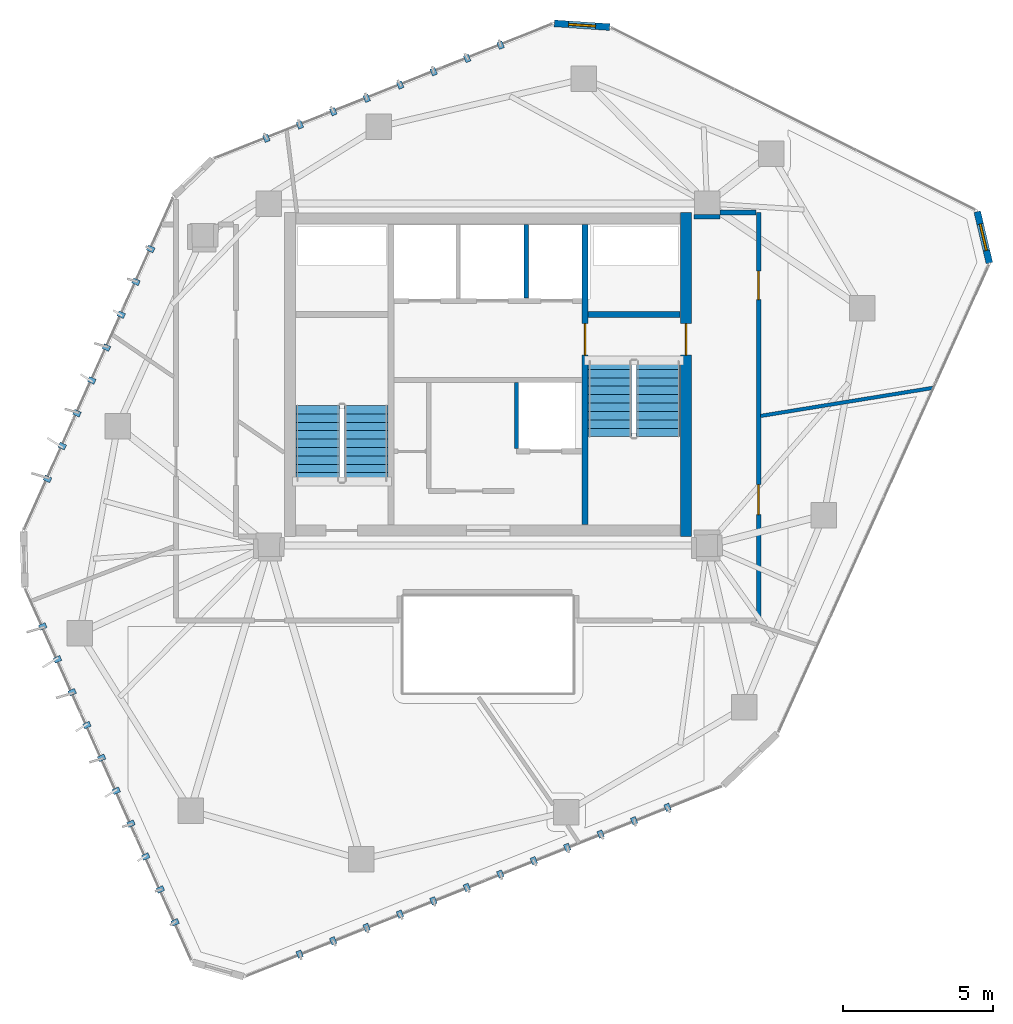
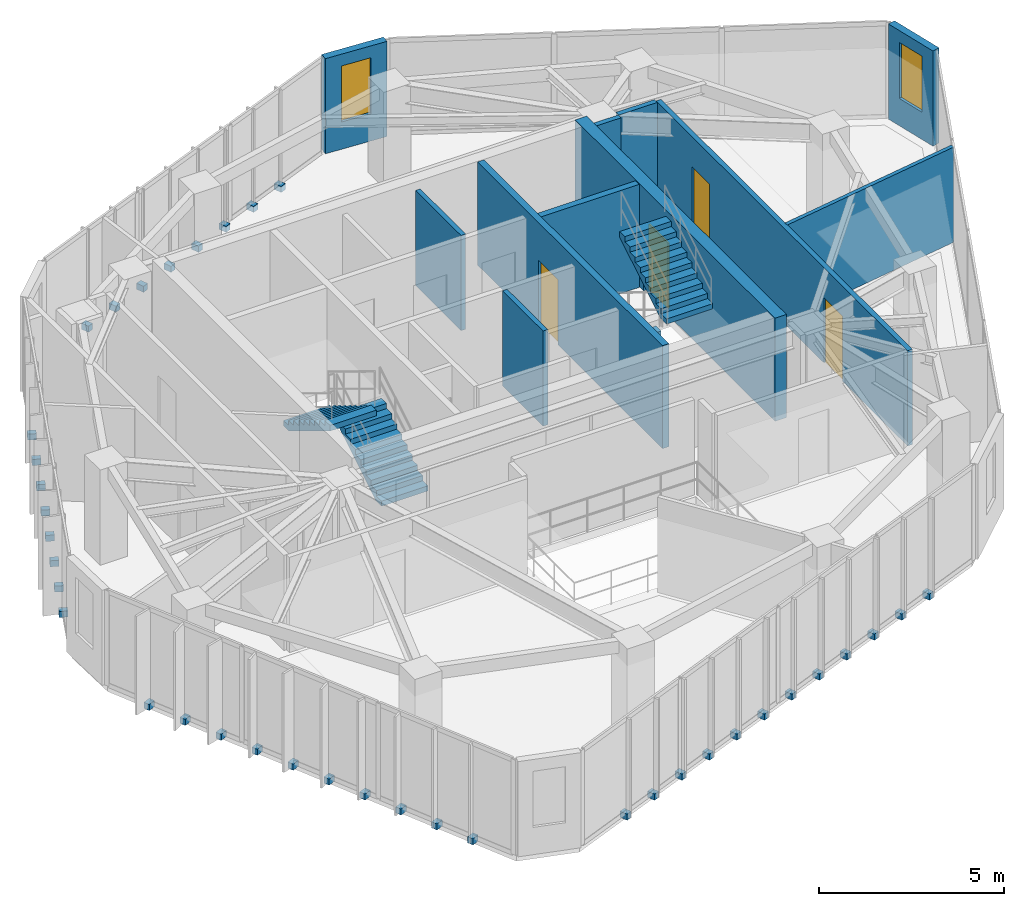
# One storey, part 18 of 20: 38 discrete accessories, 11 walls, 4 doors, 4 stair flights, 2 windows, 6 openings, 2 elements without a shape of their own.
"""IFC4 building model written with IfcOpenShell, lengths in metres."""

from ifc_helpers import new_model, si_unit, direction, frame, frame_2d, origin, origin_2d, place, context, subcontext, project, spatial, polyline, rectangle, outline, extrude, source, transform, mapped, material, layer, layer_set, type_object, type_shapes, element, fill, aggregate, save


model = new_model("IFC4")

# Units and contexts
model_context = context("Model", 3, precision=1e-05, world=origin(), true_north=direction((0.0, 1.0)))
body_context = subcontext(model_context, "Body", "Model", "MODEL_VIEW")
ifc_project = project(units=[si_unit("LENGTHUNIT", "METRE"), si_unit("AREAUNIT", "SQUARE_METRE"), si_unit("VOLUMEUNIT", "CUBIC_METRE"), si_unit("PLANEANGLEUNIT", "RADIAN"), si_unit("MASSUNIT", "GRAM", prefix="KILO")], contexts=[model_context])

# Site, building, storey
site_placement = place(None, origin())
site = spatial("IfcSite", under=ifc_project, at=site_placement, CompositionType="ELEMENT")
building_placement = place(site_placement, origin())
building = spatial("IfcBuilding", under=site, at=building_placement, Name="Talar Marvaseh", CompositionType="ELEMENT")
storey_placement = place(building_placement, frame((0.0, 0.0, 278.199951171875)))
storey = spatial("IfcBuildingStorey", under=building, at=storey_placement, Name="L74", CompositionType="ELEMENT", Elevation=278.199951171875)

# Wall, opening, window
ifc_material_1 = material(Name="Precast concrete C45/55", Category="concrete")
ifc_layer_1 = layer(ifc_material_1, 0.22509765625)
ifc_layer_set_1 = layer_set([ifc_layer_1], Name="Precast concrete C45/55")
wall_type_1 = type_object("IfcWallType", Name="Chamfered Hexagonal Corner Pier Wall Z4 225", PredefinedType="SOLIDWALL", material=ifc_layer_set_1)
wall_1_placement = place(storey_placement, frame((28.206787109375, 42.904296875, 0.0), z_axis=(0.0, 0.0, 1.0), x_axis=(0.99771301012, -0.067592525004, 0.0)))
wall_1 = element("IfcWall", 1, at=wall_1_placement, inside=storey, type_object=wall_type_1, Name="L74 Chamfered Corner Limestone Pier 4", PredefinedType="SOLIDWALL", context=body_context, shape_type="SweptSolid", body=[
    extrude(rectangle(XDim=1.8564453125, YDim=0.22509765625, at=frame_2d((0.92822265625, 0.0))), origin(), (0.0, 0.0, 1.0), 3.14013671875),
])
opening_1_placement = place(wall_1_placement, frame((0.47802734375, 0.0, 0.89990234375)))
opening_1 = element("IfcOpeningElement", 2, at=opening_1_placement, cuts=wall_1, Name="Opening WN-CHM09", PredefinedType="OPENING", context=body_context, shape_type="SweptSolid", body=[
    extrude(rectangle(XDim=0.89990234375, YDim=1.85009765625, at=frame_2d((0.449951171875, 0.925048828125))), frame((0.0, 0.12255859375, 0.0), z_axis=(0.0, -1.0, 0.0), x_axis=(1.0, 0.0, 0.0)), (0.0, 0.0, 1.0), 0.2451171875),
])
ifc_material_2 = material(Name="Laminated Low-E Solar Glass", Category="glass")
window_type = type_object("IfcWindowType", Name="Zone 4 Chamfered Corner Slot Window 900x1850", PartitioningType="SINGLE_PANEL", PredefinedType="WINDOW", material=ifc_material_2)
shared_shape_1 = source(origin(), body_context, "Body", "SweptSolid", [
    extrude(rectangle(XDim=0.89990234375, YDim=1.85009765625, at=frame_2d((0.449951171875, 0.925048828125))), frame((0.0, 0.030029296875, 0.0), z_axis=(0.0, -1.0, 0.0), x_axis=(1.0, 0.0, 0.0)), (0.0, 0.0, 1.0), 0.06005859375),
])
type_shapes(window_type, [shared_shape_1])
window_1_placement = place(opening_1_placement, origin())
window_1 = element("IfcWindow", 3, at=window_1_placement, inside=storey, type_object=window_type, Name="L74 Chamfered Corner Slot Window", OverallHeight=1.85009765625, OverallWidth=0.89990234375, PartitioningType="SINGLE_PANEL", PredefinedType="WINDOW", context=body_context, shape_type="MappedRepresentation", body=[
    mapped(shared_shape_1, transform((0.0, 0.0, 0.0), x_axis=(1.0, 0.0, 0.0), y_axis=(0.0, 1.0, 0.0), z_axis=(0.0, 0.0, 1.0), scale=1.0)),
])
fill(opening_1, window_1)

wall_2_placement = place(storey_placement, frame((42.305419921875, 36.62841796875, 0.0), z_axis=(0.0, 0.0, 1.0), x_axis=(0.230393712881, -0.973097496176, 0.0)))
wall_2 = element("IfcWall", 4, at=wall_2_placement, inside=storey, type_object=wall_type_1, Name="L74 Chamfered Corner Limestone Pier 5", PredefinedType="SOLIDWALL", context=body_context, shape_type="SweptSolid", body=[
    extrude(rectangle(XDim=1.758056640625, YDim=0.22509765625, at=frame_2d((0.87890625, 0.0))), origin(), (0.0, 0.0, 1.0), 3.14013671875),
])
opening_2_placement = place(wall_2_placement, frame((0.428955078125, 0.0, 0.89990234375)))
opening_2 = element("IfcOpeningElement", 5, at=opening_2_placement, cuts=wall_2, Name="Opening WN-CHM09", PredefinedType="OPENING", context=body_context, shape_type="SweptSolid", body=[
    extrude(rectangle(XDim=0.89990234375, YDim=1.85009765625, at=frame_2d((0.449951171875, 0.925048828125))), frame((0.0, 0.12255859375, 0.0), z_axis=(0.0, -1.0, 0.0), x_axis=(1.0, 0.0, 0.0)), (0.0, 0.0, 1.0), 0.2451171875),
])
window_2_placement = place(opening_2_placement, origin())
window_2 = element("IfcWindow", 6, at=window_2_placement, inside=storey, type_object=window_type, Name="L74 Chamfered Corner Slot Window", OverallHeight=1.85009765625, OverallWidth=0.89990234375, PartitioningType="SINGLE_PANEL", PredefinedType="WINDOW", context=body_context, shape_type="MappedRepresentation", body=[
    mapped(shared_shape_1, transform((0.0, 0.0, 0.0), x_axis=(1.0, 0.0, 0.0), y_axis=(0.0, 1.0, 0.0), z_axis=(0.0, 0.0, 1.0), scale=1.0)),
])
fill(opening_2, window_2)

# Wall, openings, doors
ifc_material_3 = material(Name="Gypsum Board Partition Assembly")
ifc_layer_2 = layer(ifc_material_3, 0.155029296875)
ifc_layer_set_2 = layer_set([ifc_layer_2], Name="Gypsum Board Partition Assembly")
wall_type_2 = type_object("IfcWallType", Name="Corridor Fire-Rated Acoustic Partition 155", PredefinedType="PARTITIONING", material=ifc_layer_set_2)
wall_3_placement = place(storey_placement, frame((35.02001953125, 36.60009765625, 0.0), z_axis=(0.0, 0.0, 1.0), x_axis=(0.0, -1.0, 0.0)))
wall_3 = element("IfcWall", 7, at=wall_3_placement, inside=storey, type_object=wall_type_2, Name="L74 Interior Partition Wall", PredefinedType="PARTITIONING", context=body_context, shape_type="SweptSolid", body=[
    extrude(rectangle(XDim=13.60009765625, YDim=0.155029296875, at=frame_2d((6.800048828125, 0.0))), origin(), (0.0, 0.0, 1.0), 3.14013671875),
])
opening_3_placement = place(wall_3_placement, frame((9.0673828125, 0.0, 0.0)))
opening_3 = element("IfcOpeningElement", 8, at=opening_3_placement, cuts=wall_3, Name="Opening DR-RM100", PredefinedType="OPENING", context=body_context, shape_type="SweptSolid", body=[
    extrude(rectangle(XDim=1.0, YDim=2.14990234375, at=frame_2d((0.5, 1.074951171875))), frame((0.0, 0.08740234375, 0.0), z_axis=(0.0, -1.0, 0.0), x_axis=(1.0, 0.0, 0.0)), (0.0, 0.0, 1.0), 0.175048828125),
])
opening_4_placement = place(wall_3_placement, frame((1.9501953125, 0.0, 0.0)))
opening_4 = element("IfcOpeningElement", 9, at=opening_4_placement, cuts=wall_3, Name="Opening DR-WC095", PredefinedType="OPENING", context=body_context, shape_type="SweptSolid", body=[
    extrude(rectangle(XDim=0.949951171875, YDim=2.14990234375, at=frame_2d((0.47509765625, 1.074951171875))), frame((0.0, 0.08740234375, 0.0), z_axis=(0.0, -1.0, 0.0), x_axis=(1.0, 0.0, 0.0)), (0.0, 0.0, 1.0), 0.175048828125),
])
ifc_material_4 = material(Name="Acoustic Engineered Oak Timber", Category="wood")
door_type_1 = type_object("IfcDoorType", Name="Washroom and Service Room Door 950x2150", OperationType="NOTDEFINED", PredefinedType="DOOR", material=ifc_material_4)
shared_shape_2 = source(origin(), body_context, "Body", "SweptSolid", [
    extrude(rectangle(XDim=0.949951171875, YDim=2.14990234375, at=frame_2d((0.47509765625, 1.074951171875))), frame((0.0, 0.02490234375, 0.0), z_axis=(0.0, -1.0, 0.0), x_axis=(1.0, 0.0, 0.0)), (0.0, 0.0, 1.0), 0.050048828125),
])
type_shapes(door_type_1, [shared_shape_2])
door_1_placement = place(opening_4_placement, origin())
door_1 = element("IfcDoor", 10, at=door_1_placement, inside=storey, type_object=door_type_1, Name="L74 Scholars' Servery Pantry Door", OperationType="SINGLE_SWING_RIGHT", OverallHeight=2.14990234375, OverallWidth=0.949951171875, PredefinedType="DOOR", context=body_context, shape_type="MappedRepresentation", body=[
    mapped(shared_shape_2, transform((0.0, 0.0, 0.0), x_axis=(1.0, 0.0, 0.0), y_axis=(0.0, 1.0, 0.0), z_axis=(0.0, 0.0, 1.0), scale=1.0)),
])
fill(opening_4, door_1)
door_type_2 = type_object("IfcDoorType", Name="Corridor Fire-Rated Gallery Door 1000x2150", OperationType="NOTDEFINED", PredefinedType="DOOR", material=ifc_material_4)
shared_shape_3 = source(origin(), body_context, "Body", "SweptSolid", [
    extrude(rectangle(XDim=1.0, YDim=2.14990234375, at=frame_2d((0.5, 1.074951171875))), frame((0.0, 0.02490234375, 0.0), z_axis=(0.0, -1.0, 0.0), x_axis=(1.0, 0.0, 0.0)), (0.0, 0.0, 1.0), 0.050048828125),
])
type_shapes(door_type_2, [shared_shape_3])
door_2_placement = place(opening_3_placement, origin())
door_2 = element("IfcDoor", 11, at=door_2_placement, inside=storey, type_object=door_type_2, Name="L74 Artisan Craft Showroom Door", OperationType="SINGLE_SWING_LEFT", OverallHeight=2.14990234375, OverallWidth=1.0, PredefinedType="DOOR", context=body_context, shape_type="MappedRepresentation", body=[
    mapped(shared_shape_3, transform((0.0, 0.0, 0.0), x_axis=(1.0, 0.0, 0.0), y_axis=(0.0, 1.0, 0.0), z_axis=(0.0, 0.0, 1.0), scale=1.0)),
])
fill(opening_3, door_2)

# Walls
wall_4_placement = place(storey_placement, frame((32.8701171875, 36.464599609375, 0.0), z_axis=(0.0, 0.0, 1.0), x_axis=(0.999986873463, -0.005123758532, 0.0)))
element("IfcWall", 12, at=wall_4_placement, inside=storey, type_object=wall_type_2, Name="L74 Interior Partition Wall", PredefinedType="PARTITIONING", context=body_context, shape_type="SweptSolid", body=[
    extrude(rectangle(XDim=0.857666015625, YDim=0.155029296875, at=frame_2d((0.4287109375, 0.0))), origin(), (0.0, 0.0, 1.0), 3.14013671875),
])
wall_5_placement = place(storey_placement, frame((33.739990234375, 36.60009765625, 0.0), z_axis=(0.0, 0.0, 1.0), x_axis=(1.0, 0.0, 0.0)))
element("IfcWall", 13, at=wall_5_placement, inside=storey, type_object=wall_type_2, Name="L74 Interior Partition Wall", PredefinedType="PARTITIONING", context=body_context, shape_type="SweptSolid", body=[
    extrude(rectangle(XDim=1.196533203125, YDim=0.155029296875, at=frame_2d((0.59814453125, 0.0))), origin(), (0.0, 0.0, 1.0), 3.14013671875),
])
ifc_layer_3 = layer(ifc_material_3, 0.1201171875)
ifc_layer_set_3 = layer_set([ifc_layer_3], Name="Gypsum Board Partition Assembly")
wall_type_3 = type_object("IfcWallType", Name="Demountable Studio Room Partition 120", PredefinedType="PARTITIONING", material=ifc_layer_set_3)
wall_6_placement = place(storey_placement, frame((35.084228515625, 29.8203125, 0.0), z_axis=(0.0, 0.0, 1.0), x_axis=(0.987001851552, 0.160708882871, 0.0)))
element("IfcWall", 14, at=wall_6_placement, inside=storey, type_object=wall_type_3, Name="L74 Interior Partition Wall", PredefinedType="PARTITIONING", context=body_context, shape_type="SweptSolid", body=[
    extrude(rectangle(XDim=5.81689453125, YDim=0.1201171875, at=frame_2d((2.908447265625, 0.0))), origin(), (0.0, 0.0, 1.0), 3.14013671875),
])
ifc_layer_4 = layer(ifc_material_1, 0.14501953125)
ifc_layer_set_4 = layer_set([ifc_layer_4], Name="Precast concrete C45/55")
wall_type_4 = type_object("IfcWallType", Name="Fire-Rated Lift Divider Wall 145", PredefinedType="SOLIDWALL", material=ifc_layer_set_4)
wall_7_placement = place(storey_placement, frame((27.280029296875, 33.743408203125, 0.0), z_axis=(0.0, 0.0, 1.0), x_axis=(0.0, 1.0, 0.0)))
element("IfcWall", 15, at=wall_7_placement, inside=storey, type_object=wall_type_4, Name="L74 FFL-2/SVL-1 Divider", PredefinedType="SOLIDWALL", context=body_context, shape_type="SweptSolid", body=[
    extrude(rectangle(XDim=2.45654296875, YDim=0.14501953125, at=frame_2d((1.228271484375, 0.0))), origin(), (0.0, 0.0, 1.0), 3.14013671875),
])
wall_8_placement = place(storey_placement, frame((26.949951171875, 28.7333984375, 0.0), z_axis=(0.0, 0.0, 1.0), x_axis=(0.0, 1.0, 0.0)))
element("IfcWall", 16, at=wall_8_placement, inside=storey, type_object=wall_type_4, Name="L74 PL-H3 West Shaft Wall", PredefinedType="SOLIDWALL", context=body_context, shape_type="SweptSolid", body=[
    extrude(rectangle(XDim=2.193115234375, YDim=0.14501953125, at=frame_2d((1.0966796875, 0.0))), origin(), (0.0, 0.0, 1.0), 3.14013671875),
])

# Wall, opening, door
ifc_material_5 = material(Name="Concrete C50/60", Category="concrete")
ifc_layer_5 = layer(ifc_material_5, 0.199951171875)
ifc_layer_set_5 = layer_set([ifc_layer_5], Name="Concrete C50/60")
wall_type_5 = type_object("IfcWallType", Name="Stair Shaft Structural Concrete Shear Wall 200", PredefinedType="SHEAR", material=ifc_layer_set_5)
wall_9_placement = place(storey_placement, frame((29.239990234375, 26.199951171875, 0.0), z_axis=(0.0, 0.0, 1.0), x_axis=(0.0, 1.0, 0.0)))
wall_9 = element("IfcWall", 17, at=wall_9_placement, inside=storey, type_object=wall_type_5, Name="L74 Core East Stair Shear Wall", PredefinedType="SHEAR", context=body_context, shape_type="SweptSolid", body=[
    extrude(rectangle(XDim=10.0, YDim=0.199951171875, at=frame_2d((5.0, 0.0))), origin(), (0.0, 0.0, 1.0), 3.400146484375),
])
opening_5_placement = place(wall_9_placement, frame((5.64990234375, 0.0, 0.0)))
opening_5 = element("IfcOpeningElement", 18, at=opening_5_placement, cuts=wall_9, Name="Opening DR-ST105", PredefinedType="OPENING", context=body_context, shape_type="SweptSolid", body=[
    extrude(rectangle(XDim=1.050048828125, YDim=2.14990234375, at=frame_2d((0.52490234375, 1.074951171875))), frame((0.0, 0.10986328125, 0.0), z_axis=(0.0, -1.0, 0.0), x_axis=(1.0, 0.0, 0.0)), (0.0, 0.0, 1.0), 0.219970703125),
])
ifc_material_6 = material(Name="Fire-Rated Steel Door Leaf", Category="steel")
door_type_3 = type_object("IfcDoorType", Name="Protected Exit Stair Fire Door 1050x2150", OperationType="NOTDEFINED", PredefinedType="DOOR", material=ifc_material_6)
shared_shape_4 = source(origin(), body_context, "Body", "SweptSolid", [
    extrude(rectangle(XDim=1.050048828125, YDim=2.14990234375, at=frame_2d((0.52490234375, 1.074951171875))), frame((0.0, 0.02490234375, 0.0), z_axis=(0.0, -1.0, 0.0), x_axis=(1.0, 0.0, 0.0)), (0.0, 0.0, 1.0), 0.050048828125),
])
type_shapes(door_type_3, [shared_shape_4])
door_3_placement = place(opening_5_placement, origin())
door_3 = element("IfcDoor", 19, at=door_3_placement, inside=storey, type_object=door_type_3, Name="L74 Firefighting Lobby to Stair ST-2 Door", OperationType="SINGLE_SWING_LEFT", OverallHeight=2.14990234375, OverallWidth=1.050048828125, PredefinedType="DOOR", context=body_context, shape_type="MappedRepresentation", body=[
    mapped(shared_shape_4, transform((0.0, 0.0, 0.0), x_axis=(1.0, 0.0, 0.0), y_axis=(0.0, 1.0, 0.0), z_axis=(0.0, 0.0, 1.0), scale=1.0)),
])
fill(opening_5, door_3)

# Wall
wall_10_placement = place(storey_placement, frame((29.340087890625, 33.199951171875, 0.0), z_axis=(0.0, 0.0, 1.0), x_axis=(1.0, 0.0, 0.0)))
element("IfcWall", 20, at=wall_10_placement, inside=storey, type_object=wall_type_5, Name="L74 Stair ST-2 North Shear Wall", PredefinedType="SHEAR", context=body_context, shape_type="SweptSolid", body=[
    extrude(rectangle(XDim=3.059814453125, YDim=0.199951171875, at=frame_2d((1.52978515625, 0.0))), origin(), (0.0, 0.0, 1.0), 3.400146484375),
])

# Wall, opening, door
ifc_layer_6 = layer(ifc_material_5, 0.360107421875)
ifc_layer_set_6 = layer_set([ifc_layer_6], Name="Concrete C50/60")
wall_type_6 = type_object("IfcWallType", Name="Upper Core Reinforced Concrete Shear Wall 360", PredefinedType="SHEAR", material=ifc_layer_set_6)
wall_11_placement = place(storey_placement, frame((32.60009765625, 36.60009765625, 0.0), z_axis=(0.0, 0.0, 1.0), x_axis=(0.0, -1.0, 0.0)))
wall_11 = element("IfcWall", 21, at=wall_11_placement, inside=storey, type_object=wall_type_6, Name="L74 East Core Shear Wall", PredefinedType="SHEAR", context=body_context, shape_type="SweptSolid", body=[
    extrude(rectangle(XDim=10.800048828125, YDim=0.360107421875, at=frame_2d((5.39990234375, 0.0))), origin(), (0.0, 0.0, 1.0), 3.400146484375),
])
opening_6_placement = place(wall_11_placement, frame((3.699951171875, 0.0, 0.0)))
opening_6 = element("IfcOpeningElement", 22, at=opening_6_placement, cuts=wall_11, Name="Opening DR-ST105", PredefinedType="OPENING", context=body_context, shape_type="SweptSolid", body=[
    extrude(rectangle(XDim=1.050048828125, YDim=2.14990234375, at=frame_2d((0.52490234375, 1.074951171875))), frame((0.0, 0.18994140625, 0.0), z_axis=(0.0, -1.0, 0.0), x_axis=(1.0, 0.0, 0.0)), (0.0, 0.0, 1.0), 0.380126953125),
])
door_4_placement = place(opening_6_placement, origin())
door_4 = element("IfcDoor", 23, at=door_4_placement, inside=storey, type_object=door_type_3, Name="L74 Stair ST-2 Corridor Exit Door", OperationType="SINGLE_SWING_LEFT", OverallHeight=2.14990234375, OverallWidth=1.050048828125, PredefinedType="DOOR", context=body_context, shape_type="MappedRepresentation", body=[
    mapped(shared_shape_4, transform((0.0, 0.0, 0.0), x_axis=(1.0, 0.0, 0.0), y_axis=(0.0, 1.0, 0.0), z_axis=(0.0, 0.0, 1.0), scale=1.0)),
])
fill(opening_6, door_4)

# Stair, stair flights
ifc_material_7 = material(Name="Concrete C40/50", Category="concrete")
stair_type = type_object("IfcStairType", Name="Reinforced Concrete High-Rise Exit Stair Type C", PredefinedType="HALF_TURN_STAIR", material=ifc_material_7)
stair_1_placement = place(storey_placement, origin())
stair_1 = element("IfcStair", 24, at=stair_1_placement, inside=storey, type_object=stair_type, Name="L74 Tower West Core Exit Stair", PredefinedType="HALF_TURN_STAIR")
ifc_layer_7 = layer(ifc_material_7, 0.159912109375)
ifc_layer_set_7 = layer_set([ifc_layer_7], Name="Concrete C40/50")
stair_flight_type = type_object("IfcStairFlightType", Name="Reinforced Concrete Straight Stair Flight 160", PredefinedType="STRAIGHT", material=ifc_layer_set_7)
stair_flight_1_placement = place(storey_placement, frame((21.93505859375, 27.64990234375, 0.0), z_axis=(0.0, 0.0, 1.0), x_axis=(0.0, 1.0, 0.0)))
stair_flight_1 = element("IfcStairFlight", 25, at=stair_flight_1_placement, type_object=stair_flight_type, Name="ST-1 flight 1", NumberOfRisers=10, NumberOfTreads=9, PredefinedType="STRAIGHT", RiserHeight=0.17, TreadLength=0.28, context=body_context, shape_type="SweptSolid", body=[
    extrude(outline(polyline([(0.0, 0.0), (0.0, 0.169921875), (0.280029296875, 0.169921875), (0.280029296875, 0.340087890625), (0.56005859375, 0.340087890625), (0.56005859375, 0.510009765625), (0.840087890625, 0.510009765625), (0.840087890625, 0.679931640625), (1.1201171875, 0.679931640625), (1.1201171875, 0.85009765625), (1.39990234375, 0.85009765625), (1.39990234375, 1.02001953125), (1.679931640625, 1.02001953125), (1.679931640625, 1.18994140625), (1.9599609375, 1.18994140625), (1.9599609375, 1.360107421875), (2.239990234375, 1.360107421875), (2.239990234375, 1.530029296875), (2.52001953125, 1.530029296875), (2.52001953125, 1.699951171875), (2.52001953125, 1.343017578125), (0.30810546875, 0.0), (0.0, 0.0)])), frame((0.0, 0.72509765625, 0.0), z_axis=(0.0, -1.0, 0.0), x_axis=(1.0, 0.0, 0.0)), (0.0, 0.0, 1.0), 1.449951171875),
])
stair_flight_2_placement = place(storey_placement, frame((20.324951171875, 30.169921875, 1.699951171875), z_axis=(0.0, 0.0, 1.0), x_axis=(0.0, -1.0, 0.0)))
stair_flight_2 = element("IfcStairFlight", 26, at=stair_flight_2_placement, type_object=stair_flight_type, Name="ST-1 flight 2", NumberOfRisers=10, NumberOfTreads=9, PredefinedType="STRAIGHT", RiserHeight=0.17, TreadLength=0.28, context=body_context, shape_type="SweptSolid", body=[
    extrude(outline(polyline([(0.0, 0.0), (0.0, 0.169921875), (0.280029296875, 0.169921875), (0.280029296875, 0.340087890625), (0.56005859375, 0.340087890625), (0.56005859375, 0.510009765625), (0.840087890625, 0.510009765625), (0.840087890625, 0.679931640625), (1.1201171875, 0.679931640625), (1.1201171875, 0.85009765625), (1.39990234375, 0.85009765625), (1.39990234375, 1.02001953125), (1.679931640625, 1.02001953125), (1.679931640625, 1.18994140625), (1.9599609375, 1.18994140625), (1.9599609375, 1.360107421875), (2.239990234375, 1.360107421875), (2.239990234375, 1.530029296875), (2.52001953125, 1.530029296875), (2.52001953125, 1.699951171875), (2.52001953125, 1.343017578125), (0.30810546875, 0.0), (0.0, 0.0)])), frame((0.0, 0.72509765625, 0.0), z_axis=(0.0, -1.0, 0.0), x_axis=(1.0, 0.0, 0.0)), (0.0, 0.0, 1.0), 1.449951171875),
])
aggregate(stair_1, [stair_flight_1, stair_flight_2])

stair_2_placement = place(storey_placement, origin())
stair_2 = element("IfcStair", 27, at=stair_2_placement, inside=storey, type_object=stair_type, Name="L74 Tower East Core Exit Stair", PredefinedType="HALF_TURN_STAIR")
stair_flight_3_placement = place(storey_placement, frame((30.06494140625, 31.64990234375, 0.0), z_axis=(0.0, 0.0, 1.0), x_axis=(0.0, -1.0, 0.0)))
stair_flight_3 = element("IfcStairFlight", 28, at=stair_flight_3_placement, type_object=stair_flight_type, Name="ST-2 flight 1", NumberOfRisers=10, NumberOfTreads=9, PredefinedType="STRAIGHT", RiserHeight=0.17, TreadLength=0.28, context=body_context, shape_type="SweptSolid", body=[
    extrude(outline(polyline([(0.0, 0.0), (0.0, 0.169921875), (0.280029296875, 0.169921875), (0.280029296875, 0.340087890625), (0.56005859375, 0.340087890625), (0.56005859375, 0.510009765625), (0.840087890625, 0.510009765625), (0.840087890625, 0.679931640625), (1.1201171875, 0.679931640625), (1.1201171875, 0.85009765625), (1.39990234375, 0.85009765625), (1.39990234375, 1.02001953125), (1.679931640625, 1.02001953125), (1.679931640625, 1.18994140625), (1.9599609375, 1.18994140625), (1.9599609375, 1.360107421875), (2.239990234375, 1.360107421875), (2.239990234375, 1.530029296875), (2.52001953125, 1.530029296875), (2.52001953125, 1.699951171875), (2.52001953125, 1.343017578125), (0.30810546875, 0.0), (0.0, 0.0)])), frame((0.0, 0.72509765625, 0.0), z_axis=(0.0, -1.0, 0.0), x_axis=(1.0, 0.0, 0.0)), (0.0, 0.0, 1.0), 1.449951171875),
])
stair_flight_4_placement = place(storey_placement, frame((31.675048828125, 29.1298828125, 1.699951171875), z_axis=(0.0, 0.0, 1.0), x_axis=(0.0, 1.0, 0.0)))
stair_flight_4 = element("IfcStairFlight", 29, at=stair_flight_4_placement, type_object=stair_flight_type, Name="ST-2 flight 2", NumberOfRisers=10, NumberOfTreads=9, PredefinedType="STRAIGHT", RiserHeight=0.17, TreadLength=0.28, context=body_context, shape_type="SweptSolid", body=[
    extrude(outline(polyline([(0.0, 0.0), (0.0, 0.169921875), (0.280029296875, 0.169921875), (0.280029296875, 0.340087890625), (0.56005859375, 0.340087890625), (0.56005859375, 0.510009765625), (0.840087890625, 0.510009765625), (0.840087890625, 0.679931640625), (1.1201171875, 0.679931640625), (1.1201171875, 0.85009765625), (1.39990234375, 0.85009765625), (1.39990234375, 1.02001953125), (1.679931640625, 1.02001953125), (1.679931640625, 1.18994140625), (1.9599609375, 1.18994140625), (1.9599609375, 1.360107421875), (2.239990234375, 1.360107421875), (2.239990234375, 1.530029296875), (2.52001953125, 1.530029296875), (2.52001953125, 1.699951171875), (2.52001953125, 1.343017578125), (0.30810546875, 0.0), (0.0, 0.0)])), frame((0.0, 0.72509765625, 0.0), z_axis=(0.0, -1.0, 0.0), x_axis=(1.0, 0.0, 0.0)), (0.0, 0.0, 1.0), 1.449951171875),
])
aggregate(stair_2, [stair_flight_3, stair_flight_4])

# Discrete accessories
ifc_material_8 = material(Name="Stainless Steel Grade 316", Category="steel")
discrete_accessory_type = type_object("IfcDiscreteAccessoryType", Name="Stainless Slab-Edge Fin Mounting Bracket", PredefinedType="BRACKET", material=ifc_material_8)
shared_shape_5 = source(origin(), body_context, "Body", "SweptSolid", [
    extrude(rectangle(XDim=0.239990234375, YDim=0.179931640625, at=origin_2d()), origin(), (0.0, 0.0, 1.0), 0.199951171875),
])
type_shapes(discrete_accessory_type, [shared_shape_5])
for number, where, z_axis, x_axis, name in (
    (30, (15.5703125, 12.943603515625, -0.1796875), (0.0, 0.0, 1.0), (-0.912834177233, -0.408330460381, 0.0), "L74 Vertical Fin Slab-Edge Bracket"),
    (31, (15.080322265625, 14.0390625, -0.1796875), (0.0, 0.0, 1.0), (-0.912834177233, -0.408330460381, 0.0), "L74 Vertical Fin Slab-Edge Bracket"),
    (32, (14.59033203125, 15.134521484375, -0.1796875), (0.0, 0.0, 1.0), (-0.912834177233, -0.408330460381, 0.0), "L74 Vertical Fin Slab-Edge Bracket"),
    (33, (14.1005859375, 16.22998046875, -0.1796875), (0.0, 0.0, 1.0), (-0.912834177233, -0.408330460381, 0.0), "L74 Vertical Fin Slab-Edge Bracket"),
    (34, (13.610595703125, 17.325439453125, -0.1796875), (0.0, 0.0, 1.0), (-0.912834177233, -0.408330460381, 0.0), "L74 Vertical Fin Slab-Edge Bracket"),
    (35, (13.12060546875, 18.4208984375, -0.1796875), (0.0, 0.0, 1.0), (-0.912834177233, -0.408330460381, 0.0), "L74 Vertical Fin Slab-Edge Bracket"),
    (36, (12.630615234375, 19.51611328125, -0.1796875), (0.0, 0.0, 1.0), (-0.912834177233, -0.408330460381, 0.0), "L74 Vertical Fin Slab-Edge Bracket"),
    (37, (12.140869140625, 20.61181640625, -0.1796875), (0.0, 0.0, 1.0), (-0.912834177233, -0.408330460381, 0.0), "L74 Vertical Fin Slab-Edge Bracket"),
    (38, (11.65087890625, 21.70703125, -0.1796875), (0.0, 0.0, 1.0), (-0.912834177233, -0.408330460381, 0.0), "L74 Vertical Fin Slab-Edge Bracket"),
    (39, (11.160888671875, 22.802490234375, -0.1796875), (0.0, 0.0, 1.0), (-0.912834177233, -0.408330460381, 0.0), "L74 Vertical Fin Slab-Edge Bracket"),
    (40, (11.317138671875, 27.720947265625, -0.1796875), (0.0, 0.0, 1.0), (-0.912263150732, 0.40960461889, 0.0), "L74 Vertical Fin Slab-Edge Bracket"),
    (41, (11.808837890625, 28.815673828125, -0.1796875), (0.0, 0.0, 1.0), (-0.912263150732, 0.40960461889, 0.0), "L74 Vertical Fin Slab-Edge Bracket"),
    (42, (12.30029296875, 29.910400390625, -0.1796875), (0.0, 0.0, 1.0), (-0.912263150732, 0.40960461889, 0.0), "L74 Vertical Fin Slab-Edge Bracket"),
    (43, (12.7919921875, 31.005126953125, -0.1796875), (0.0, 0.0, 1.0), (-0.912263150732, 0.40960461889, 0.0), "L74 Vertical Fin Slab-Edge Bracket"),
    (44, (13.283447265625, 32.099853515625, -0.1796875), (0.0, 0.0, 1.0), (-0.912263150732, 0.40960461889, 0.0), "L74 Vertical Fin Slab-Edge Bracket"),
    (45, (13.775146484375, 33.194580078125, -0.1796875), (0.0, 0.0, 1.0), (-0.912263150732, 0.40960461889, 0.0), "L74 Vertical Fin Slab-Edge Bracket"),
    (46, (14.2666015625, 34.289306640625, -0.1796875), (0.0, 0.0, 1.0), (-0.912263150732, 0.40960461889, 0.0), "L74 Vertical Fin Slab-Edge Bracket"),
    (47, (14.75830078125, 35.3837890625, -0.1796875), (0.0, 0.0, 1.0), (-0.912263150732, 0.40960461889, 0.0), "L74 Vertical Fin Slab-Edge Bracket"),
    (48, (18.614013671875, 39.074951171875, -0.1796875), (0.0, 0.0, 1.0), (-0.369422406303, 0.929261580892, 0.0), "L74 Vertical Fin Slab-Edge Bracket"),
    (49, (19.72900390625, 39.518310546875, -0.1796875), (0.0, 0.0, 1.0), (-0.369422406303, 0.929261580892, 0.0), "L74 Vertical Fin Slab-Edge Bracket"),
    (50, (20.84423828125, 39.961669921875, -0.1796875), (0.0, 0.0, 1.0), (-0.369422406303, 0.929261580892, 0.0), "L74 Vertical Fin Slab-Edge Bracket"),
    (51, (21.959228515625, 40.405029296875, -0.1796875), (0.0, 0.0, 1.0), (-0.369422406303, 0.929261580892, 0.0), "L74 Vertical Fin Slab-Edge Bracket"),
    (52, (23.074462890625, 40.848388671875, -0.1796875), (0.0, 0.0, 1.0), (-0.369422406303, 0.929261580892, 0.0), "L74 Vertical Fin Slab-Edge Bracket"),
    (53, (24.189453125, 41.291748046875, -0.1796875), (0.0, 0.0, 1.0), (-0.369422406303, 0.929261580892, 0.0), "L74 Vertical Fin Slab-Edge Bracket"),
    (54, (25.3046875, 41.735107421875, -0.1796875), (0.0, 0.0, 1.0), (-0.369422406303, 0.929261580892, 0.0), "L74 Vertical Fin Slab-Edge Bracket"),
    (55, (26.419677734375, 42.178466796875, -0.1796875), (0.0, 0.0, 1.0), (-0.369422406303, 0.929261580892, 0.0), "L74 Vertical Fin Slab-Edge Bracket"),
    (56, (31.983154296875, 16.77392578125, -0.1796875), (0.0, 0.0, 1.0), (0.370719539713, -0.928744864252, 0.0), "L74 Vertical Fin Slab-Edge Bracket"),
    (57, (30.86865234375, 16.3291015625, -0.1796875), (0.0, 0.0, 1.0), (0.370719539713, -0.928744864252, 0.0), "L74 Vertical Fin Slab-Edge Bracket"),
    (58, (29.754150390625, 15.88427734375, -0.1796875), (0.0, 0.0, 1.0), (0.370719539713, -0.928744864252, 0.0), "L74 Vertical Fin Slab-Edge Bracket"),
    (59, (28.6396484375, 15.439453125, -0.1796875), (0.0, 0.0, 1.0), (0.370719539713, -0.928744864252, 0.0), "L74 Vertical Fin Slab-Edge Bracket"),
    (60, (27.525146484375, 14.99462890625, -0.1796875), (0.0, 0.0, 1.0), (0.370719539713, -0.928744864252, 0.0), "L74 Vertical Fin Slab-Edge Bracket"),
    (61, (26.41064453125, 14.5498046875, -0.1796875), (0.0, 0.0, 1.0), (0.370719539713, -0.928744864252, 0.0), "L74 Vertical Fin Slab-Edge Bracket"),
    (62, (25.296142578125, 14.10498046875, -0.1796875), (0.0, 0.0, 1.0), (0.370719539713, -0.928744864252, 0.0), "L74 Vertical Fin Slab-Edge Bracket"),
    (63, (24.181640625, 13.66015625, -0.1796875), (0.0, 0.0, 1.0), (0.370719539713, -0.928744864252, 0.0), "L74 Vertical Fin Slab-Edge Bracket"),
    (64, (23.067138671875, 13.21533203125, -0.1796875), (0.0, 0.0, 1.0), (0.370719539713, -0.928744864252, 0.0), "L74 Vertical Fin Slab-Edge Bracket"),
    (65, (21.95263671875, 12.7705078125, -0.1796875), (0.0, 0.0, 1.0), (0.370719539713, -0.928744864252, 0.0), "L74 Vertical Fin Slab-Edge Bracket"),
    (66, (20.838134765625, 12.32568359375, -0.1796875), (0.0, 0.0, 1.0), (0.370719539713, -0.928744864252, 0.0), "L74 Vertical Fin Slab-Edge Bracket"),
    (67, (19.7236328125, 11.880859375, -0.1796875), (0.0, 0.0, 1.0), (0.370719539713, -0.928744864252, 0.0), "L74 Vertical Fin Slab-Edge Bracket"),
):
    element("IfcDiscreteAccessory", number, at=place(storey_placement, frame(where, z_axis=z_axis, x_axis=x_axis)), inside=storey, type_object=discrete_accessory_type, Name=name, PredefinedType="BRACKET", context=body_context, shape_type="MappedRepresentation", body=[
        mapped(shared_shape_5, transform((0.0, 0.0, 0.0), x_axis=(1.0, 0.0, 0.0), y_axis=(0.0, 1.0, 0.0), z_axis=(0.0, 0.0, 1.0), scale=1.0)),
    ])

save(model, "model.ifc")
